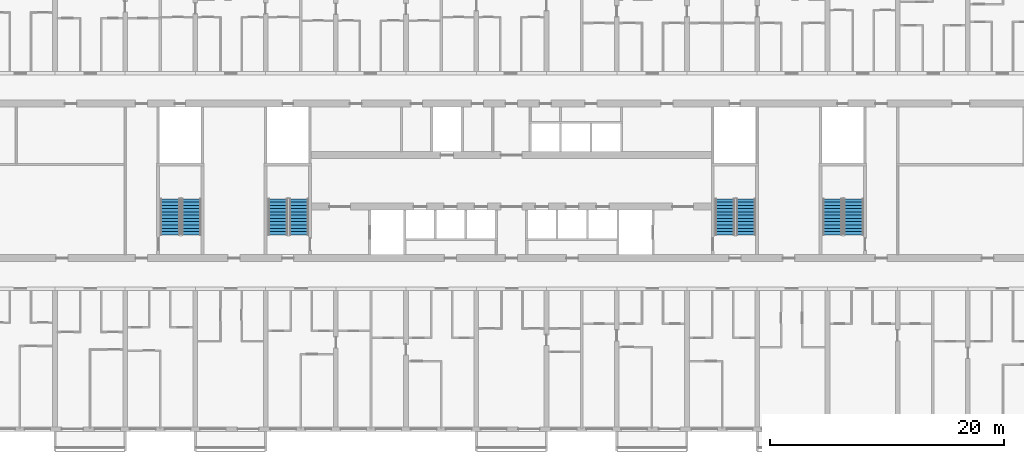
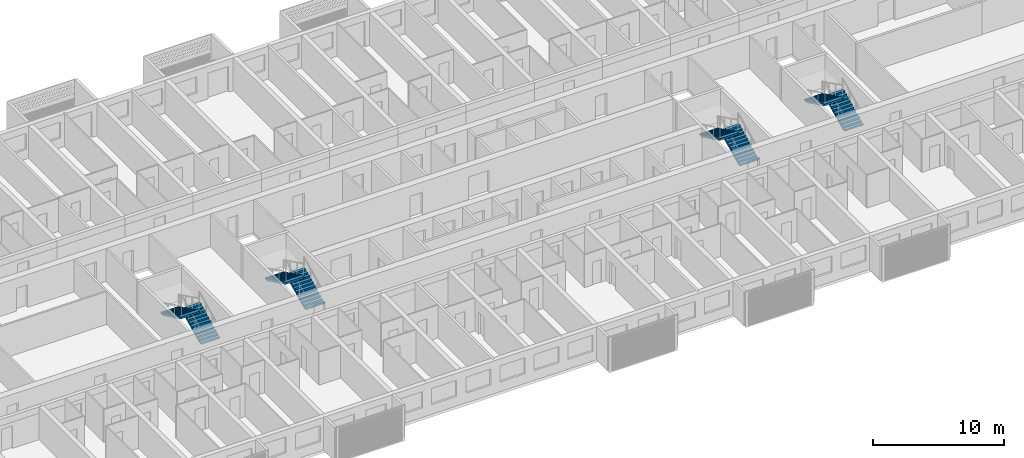
# One storey, part 18 of 40: 8 stair flights, 4 elements without a shape of their own.
"""IFC4 building model written with IfcOpenShell, lengths in metres."""

from ifc_helpers import new_model, si_unit, direction, frame, origin, place, context, subcontext, project, spatial, polyline, outline, extrude, material, layer, layer_set, type_object, element, aggregate, save


model = new_model("IFC4")

# Units and contexts
model_context = context("Model", 3, precision=1e-05, world=origin(), true_north=direction((0.0, 1.0)))
body_context = subcontext(model_context, "Body", "Model", "MODEL_VIEW")
ifc_project = project(units=[si_unit("LENGTHUNIT", "METRE"), si_unit("AREAUNIT", "SQUARE_METRE"), si_unit("VOLUMEUNIT", "CUBIC_METRE"), si_unit("PLANEANGLEUNIT", "RADIAN"), si_unit("MASSUNIT", "GRAM", prefix="KILO")], contexts=[model_context])

# Site, building, storey
site_placement = place(None, origin())
site = spatial("IfcSite", under=ifc_project, at=site_placement, CompositionType="ELEMENT")
building_placement = place(site_placement, origin())
building = spatial("IfcBuilding", under=site, at=building_placement, Name="Poui Terraces", CompositionType="ELEMENT")
storey_placement = place(building_placement, frame((0.0, 0.0, 39.89990234375)))
storey = spatial("IfcBuildingStorey", under=building, at=storey_placement, Name="L10", CompositionType="ELEMENT", Elevation=39.89990234375)

# Stair, stair flights
ifc_material = material(Name="Concrete 80 MPa", Category="concrete")
stair_type = type_object("IfcStairType", Name="EXIT STAIR 1650 80 MPA", PredefinedType="HALF_TURN_STAIR", material=ifc_material)
stair_1_placement = place(storey_placement, origin())
stair_1 = element("IfcStair", 1, at=stair_1_placement, inside=storey, type_object=stair_type, Name="L10 CORE STAIR EAST", PredefinedType="HALF_TURN_STAIR")
ifc_layer = layer(ifc_material, 0.14990234375)
ifc_layer_set = layer_set([ifc_layer], Name="Concrete 80 MPa")
stair_flight_type = type_object("IfcStairFlightType", Name="STAIR FLIGHT 12 RISERS 138 RISE 80 MPA", PredefinedType="STRAIGHT", material=ifc_layer_set)
stair_flight_1_placement = place(storey_placement, frame((71.050048828125, 16.60009765625, 0.0), z_axis=(0.0, 0.0, 1.0), x_axis=(0.0, 1.0, 0.0)))
stair_flight_1 = element("IfcStairFlight", 2, at=stair_flight_1_placement, type_object=stair_flight_type, Name="ST-CE flight 1", NumberOfRisers=12, NumberOfTreads=11, PredefinedType="STRAIGHT", RiserHeight=0.1375, TreadLength=0.28, context=body_context, shape_type="SweptSolid", body=[
    extrude(outline(polyline([(0.0, 0.0), (0.0, 0.137451171875), (0.280029296875, 0.137451171875), (0.280029296875, 0.27490234375), (0.56005859375, 0.27490234375), (0.56005859375, 0.41259765625), (0.840087890625, 0.41259765625), (0.840087890625, 0.550048828125), (1.1201171875, 0.550048828125), (1.1201171875, 0.6875), (1.39990234375, 0.6875), (1.39990234375, 0.824951171875), (1.679931640625, 0.824951171875), (1.679931640625, 0.96240234375), (1.9599609375, 0.96240234375), (1.9599609375, 1.10009765625), (2.239990234375, 1.10009765625), (2.239990234375, 1.237548828125), (2.52001953125, 1.237548828125), (2.52001953125, 1.375), (2.800048828125, 1.375), (2.800048828125, 1.512451171875), (3.080078125, 1.512451171875), (3.080078125, 1.64990234375), (3.080078125, 1.345458984375), (0.340087890625, 0.0), (0.0, 0.0)])), frame((0.0, 0.824951171875, 0.0), z_axis=(0.0, -1.0, 0.0), x_axis=(1.0, 0.0, 0.0)), (0.0, 0.0, 1.0), 1.64990234375),
])
stair_flight_2_placement = place(storey_placement, frame((69.25, 19.679931640625, 1.650146484375), z_axis=(0.0, 0.0, 1.0), x_axis=(0.0, -1.0, 0.0)))
stair_flight_2 = element("IfcStairFlight", 3, at=stair_flight_2_placement, type_object=stair_flight_type, Name="ST-CE flight 2", NumberOfRisers=12, NumberOfTreads=11, PredefinedType="STRAIGHT", RiserHeight=0.1375, TreadLength=0.28, context=body_context, shape_type="SweptSolid", body=[
    extrude(outline(polyline([(0.0, 0.0), (0.0, 0.137451171875), (0.280029296875, 0.137451171875), (0.280029296875, 0.27490234375), (0.56005859375, 0.27490234375), (0.56005859375, 0.41259765625), (0.840087890625, 0.41259765625), (0.840087890625, 0.550048828125), (1.1201171875, 0.550048828125), (1.1201171875, 0.6875), (1.39990234375, 0.6875), (1.39990234375, 0.824951171875), (1.679931640625, 0.824951171875), (1.679931640625, 0.96240234375), (1.9599609375, 0.96240234375), (1.9599609375, 1.10009765625), (2.239990234375, 1.10009765625), (2.239990234375, 1.237548828125), (2.52001953125, 1.237548828125), (2.52001953125, 1.375), (2.800048828125, 1.375), (2.800048828125, 1.512451171875), (3.080078125, 1.512451171875), (3.080078125, 1.64990234375), (3.080078125, 1.345458984375), (0.340087890625, 0.0), (0.0, 0.0)])), frame((0.0, 0.824951171875, 0.0), z_axis=(0.0, -1.0, 0.0), x_axis=(1.0, 0.0, 0.0)), (0.0, 0.0, 1.0), 1.64990234375),
])
aggregate(stair_1, [stair_flight_1, stair_flight_2])

stair_2_placement = place(storey_placement, origin())
stair_2 = element("IfcStair", 4, at=stair_2_placement, inside=storey, type_object=stair_type, Name="L10 CORE STAIR WEST", PredefinedType="HALF_TURN_STAIR")
stair_flight_3_placement = place(storey_placement, frame((32.85009765625, 16.60009765625, 0.0), z_axis=(0.0, 0.0, 1.0), x_axis=(0.0, 1.0, 0.0)))
stair_flight_3 = element("IfcStairFlight", 5, at=stair_flight_3_placement, type_object=stair_flight_type, Name="ST-CW flight 1", NumberOfRisers=12, NumberOfTreads=11, PredefinedType="STRAIGHT", RiserHeight=0.1375, TreadLength=0.28, context=body_context, shape_type="SweptSolid", body=[
    extrude(outline(polyline([(0.0, 0.0), (0.0, 0.137451171875), (0.280029296875, 0.137451171875), (0.280029296875, 0.27490234375), (0.56005859375, 0.27490234375), (0.56005859375, 0.41259765625), (0.840087890625, 0.41259765625), (0.840087890625, 0.550048828125), (1.1201171875, 0.550048828125), (1.1201171875, 0.6875), (1.39990234375, 0.6875), (1.39990234375, 0.824951171875), (1.679931640625, 0.824951171875), (1.679931640625, 0.96240234375), (1.9599609375, 0.96240234375), (1.9599609375, 1.10009765625), (2.239990234375, 1.10009765625), (2.239990234375, 1.237548828125), (2.52001953125, 1.237548828125), (2.52001953125, 1.375), (2.800048828125, 1.375), (2.800048828125, 1.512451171875), (3.080078125, 1.512451171875), (3.080078125, 1.64990234375), (3.080078125, 1.345458984375), (0.340087890625, 0.0), (0.0, 0.0)])), frame((0.0, 0.824951171875, 0.0), z_axis=(0.0, -1.0, 0.0), x_axis=(1.0, 0.0, 0.0)), (0.0, 0.0, 1.0), 1.64990234375),
])
stair_flight_4_placement = place(storey_placement, frame((31.050048828125, 19.679931640625, 1.650146484375), z_axis=(0.0, 0.0, 1.0), x_axis=(0.0, -1.0, 0.0)))
stair_flight_4 = element("IfcStairFlight", 6, at=stair_flight_4_placement, type_object=stair_flight_type, Name="ST-CW flight 2", NumberOfRisers=12, NumberOfTreads=11, PredefinedType="STRAIGHT", RiserHeight=0.1375, TreadLength=0.28, context=body_context, shape_type="SweptSolid", body=[
    extrude(outline(polyline([(0.0, 0.0), (0.0, 0.137451171875), (0.280029296875, 0.137451171875), (0.280029296875, 0.27490234375), (0.56005859375, 0.27490234375), (0.56005859375, 0.41259765625), (0.840087890625, 0.41259765625), (0.840087890625, 0.550048828125), (1.1201171875, 0.550048828125), (1.1201171875, 0.6875), (1.39990234375, 0.6875), (1.39990234375, 0.824951171875), (1.679931640625, 0.824951171875), (1.679931640625, 0.96240234375), (1.9599609375, 0.96240234375), (1.9599609375, 1.10009765625), (2.239990234375, 1.10009765625), (2.239990234375, 1.237548828125), (2.52001953125, 1.237548828125), (2.52001953125, 1.375), (2.800048828125, 1.375), (2.800048828125, 1.512451171875), (3.080078125, 1.512451171875), (3.080078125, 1.64990234375), (3.080078125, 1.345458984375), (0.340087890625, 0.0), (0.0, 0.0)])), frame((0.0, 0.824951171875, 0.0), z_axis=(0.0, -1.0, 0.0), x_axis=(1.0, 0.0, 0.0)), (0.0, 0.0, 1.0), 1.64990234375),
])
aggregate(stair_2, [stair_flight_3, stair_flight_4])

stair_3_placement = place(storey_placement, origin())
stair_3 = element("IfcStair", 7, at=stair_3_placement, inside=storey, type_object=stair_type, Name="L10 TIP STAIR EAST", PredefinedType="HALF_TURN_STAIR")
stair_flight_5_placement = place(storey_placement, frame((80.25, 16.60009765625, 0.0), z_axis=(0.0, 0.0, 1.0), x_axis=(0.0, 1.0, 0.0)))
stair_flight_5 = element("IfcStairFlight", 8, at=stair_flight_5_placement, type_object=stair_flight_type, Name="ST-E flight 1", NumberOfRisers=12, NumberOfTreads=11, PredefinedType="STRAIGHT", RiserHeight=0.1375, TreadLength=0.28, context=body_context, shape_type="SweptSolid", body=[
    extrude(outline(polyline([(0.0, 0.0), (0.0, 0.137451171875), (0.280029296875, 0.137451171875), (0.280029296875, 0.27490234375), (0.56005859375, 0.27490234375), (0.56005859375, 0.41259765625), (0.840087890625, 0.41259765625), (0.840087890625, 0.550048828125), (1.1201171875, 0.550048828125), (1.1201171875, 0.6875), (1.39990234375, 0.6875), (1.39990234375, 0.824951171875), (1.679931640625, 0.824951171875), (1.679931640625, 0.96240234375), (1.9599609375, 0.96240234375), (1.9599609375, 1.10009765625), (2.239990234375, 1.10009765625), (2.239990234375, 1.237548828125), (2.52001953125, 1.237548828125), (2.52001953125, 1.375), (2.800048828125, 1.375), (2.800048828125, 1.512451171875), (3.080078125, 1.512451171875), (3.080078125, 1.64990234375), (3.080078125, 1.345458984375), (0.340087890625, 0.0), (0.0, 0.0)])), frame((0.0, 0.824951171875, 0.0), z_axis=(0.0, -1.0, 0.0), x_axis=(1.0, 0.0, 0.0)), (0.0, 0.0, 1.0), 1.64990234375),
])
stair_flight_6_placement = place(storey_placement, frame((78.449951171875, 19.679931640625, 1.650146484375), z_axis=(0.0, 0.0, 1.0), x_axis=(0.0, -1.0, 0.0)))
stair_flight_6 = element("IfcStairFlight", 9, at=stair_flight_6_placement, type_object=stair_flight_type, Name="ST-E flight 2", NumberOfRisers=12, NumberOfTreads=11, PredefinedType="STRAIGHT", RiserHeight=0.1375, TreadLength=0.28, context=body_context, shape_type="SweptSolid", body=[
    extrude(outline(polyline([(0.0, 0.0), (0.0, 0.137451171875), (0.280029296875, 0.137451171875), (0.280029296875, 0.27490234375), (0.56005859375, 0.27490234375), (0.56005859375, 0.41259765625), (0.840087890625, 0.41259765625), (0.840087890625, 0.550048828125), (1.1201171875, 0.550048828125), (1.1201171875, 0.6875), (1.39990234375, 0.6875), (1.39990234375, 0.824951171875), (1.679931640625, 0.824951171875), (1.679931640625, 0.96240234375), (1.9599609375, 0.96240234375), (1.9599609375, 1.10009765625), (2.239990234375, 1.10009765625), (2.239990234375, 1.237548828125), (2.52001953125, 1.237548828125), (2.52001953125, 1.375), (2.800048828125, 1.375), (2.800048828125, 1.512451171875), (3.080078125, 1.512451171875), (3.080078125, 1.64990234375), (3.080078125, 1.345458984375), (0.340087890625, 0.0), (0.0, 0.0)])), frame((0.0, 0.824951171875, 0.0), z_axis=(0.0, -1.0, 0.0), x_axis=(1.0, 0.0, 0.0)), (0.0, 0.0, 1.0), 1.64990234375),
])
aggregate(stair_3, [stair_flight_5, stair_flight_6])

stair_4_placement = place(storey_placement, origin())
stair_4 = element("IfcStair", 10, at=stair_4_placement, inside=storey, type_object=stair_type, Name="L10 TIP STAIR WEST", PredefinedType="HALF_TURN_STAIR")
stair_flight_7_placement = place(storey_placement, frame((23.64990234375, 16.60009765625, 0.0), z_axis=(0.0, 0.0, 1.0), x_axis=(0.0, 1.0, 0.0)))
stair_flight_7 = element("IfcStairFlight", 11, at=stair_flight_7_placement, type_object=stair_flight_type, Name="ST-W flight 1", NumberOfRisers=12, NumberOfTreads=11, PredefinedType="STRAIGHT", RiserHeight=0.1375, TreadLength=0.28, context=body_context, shape_type="SweptSolid", body=[
    extrude(outline(polyline([(0.0, 0.0), (0.0, 0.137451171875), (0.280029296875, 0.137451171875), (0.280029296875, 0.27490234375), (0.56005859375, 0.27490234375), (0.56005859375, 0.41259765625), (0.840087890625, 0.41259765625), (0.840087890625, 0.550048828125), (1.1201171875, 0.550048828125), (1.1201171875, 0.6875), (1.39990234375, 0.6875), (1.39990234375, 0.824951171875), (1.679931640625, 0.824951171875), (1.679931640625, 0.96240234375), (1.9599609375, 0.96240234375), (1.9599609375, 1.10009765625), (2.239990234375, 1.10009765625), (2.239990234375, 1.237548828125), (2.52001953125, 1.237548828125), (2.52001953125, 1.375), (2.800048828125, 1.375), (2.800048828125, 1.512451171875), (3.080078125, 1.512451171875), (3.080078125, 1.64990234375), (3.080078125, 1.345458984375), (0.340087890625, 0.0), (0.0, 0.0)])), frame((0.0, 0.824951171875, 0.0), z_axis=(0.0, -1.0, 0.0), x_axis=(1.0, 0.0, 0.0)), (0.0, 0.0, 1.0), 1.64990234375),
])
stair_flight_8_placement = place(storey_placement, frame((21.85009765625, 19.679931640625, 1.650146484375), z_axis=(0.0, 0.0, 1.0), x_axis=(0.0, -1.0, 0.0)))
stair_flight_8 = element("IfcStairFlight", 12, at=stair_flight_8_placement, type_object=stair_flight_type, Name="ST-W flight 2", NumberOfRisers=12, NumberOfTreads=11, PredefinedType="STRAIGHT", RiserHeight=0.1375, TreadLength=0.28, context=body_context, shape_type="SweptSolid", body=[
    extrude(outline(polyline([(0.0, 0.0), (0.0, 0.137451171875), (0.280029296875, 0.137451171875), (0.280029296875, 0.27490234375), (0.56005859375, 0.27490234375), (0.56005859375, 0.41259765625), (0.840087890625, 0.41259765625), (0.840087890625, 0.550048828125), (1.1201171875, 0.550048828125), (1.1201171875, 0.6875), (1.39990234375, 0.6875), (1.39990234375, 0.824951171875), (1.679931640625, 0.824951171875), (1.679931640625, 0.96240234375), (1.9599609375, 0.96240234375), (1.9599609375, 1.10009765625), (2.239990234375, 1.10009765625), (2.239990234375, 1.237548828125), (2.52001953125, 1.237548828125), (2.52001953125, 1.375), (2.800048828125, 1.375), (2.800048828125, 1.512451171875), (3.080078125, 1.512451171875), (3.080078125, 1.64990234375), (3.080078125, 1.345458984375), (0.340087890625, 0.0), (0.0, 0.0)])), frame((0.0, 0.824951171875, 0.0), z_axis=(0.0, -1.0, 0.0), x_axis=(1.0, 0.0, 0.0)), (0.0, 0.0, 1.0), 1.64990234375),
])
aggregate(stair_4, [stair_flight_7, stair_flight_8])

save(model, "model.ifc")
